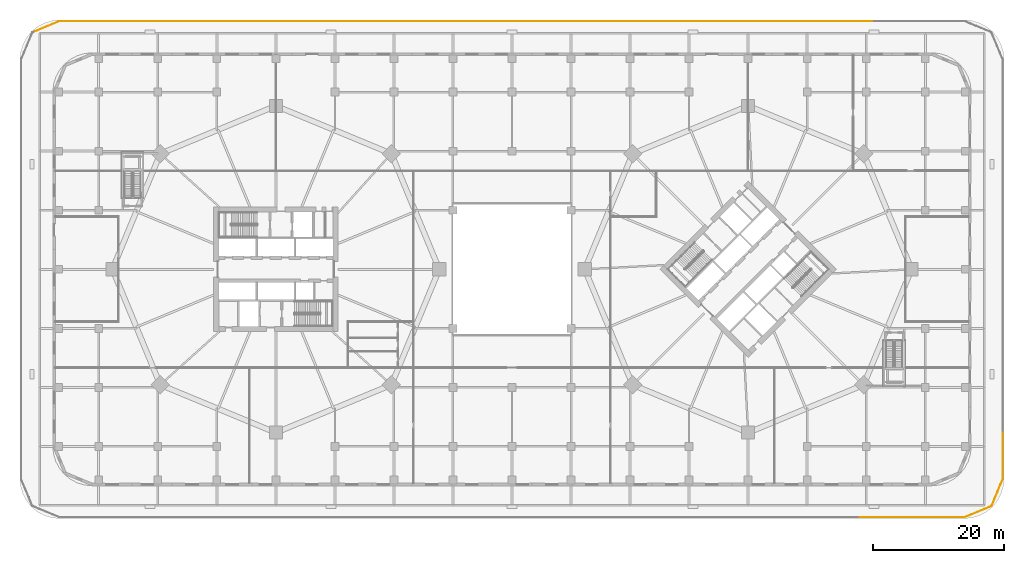
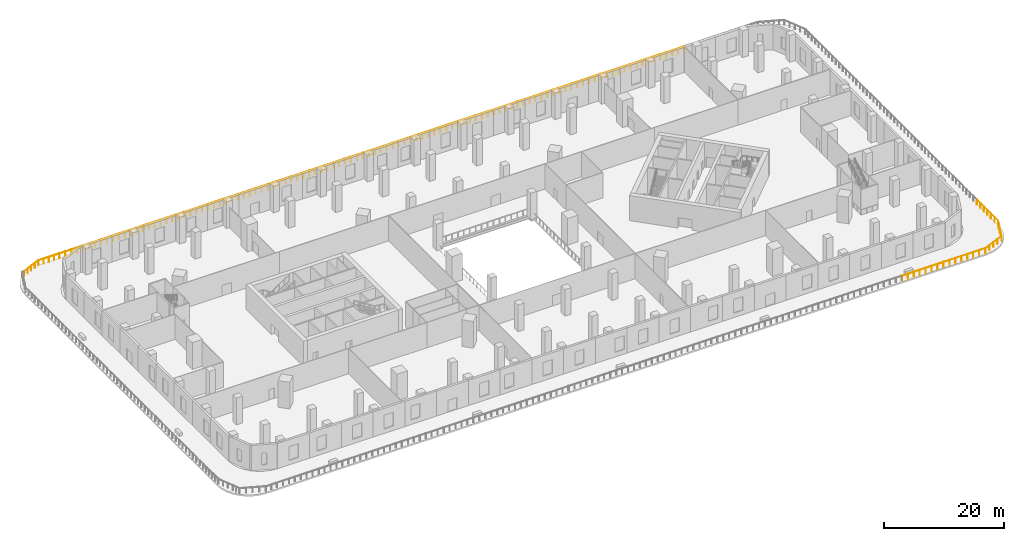
# One storey, part 17 of 20: 20 railings.
"""IFC4 building model written with IfcOpenShell, lengths in metres."""

from ifc_helpers import new_model, si_unit, direction, frame, origin, origin_2d, place, context, subcontext, project, spatial, circle, extrude, material, type_object, element, save


model = new_model("IFC4")

# Units and contexts
model_context = context("Model", 3, precision=1e-05, world=origin(), true_north=direction((0.0, 1.0)))
body_context = subcontext(model_context, "Body", "Model", "MODEL_VIEW")
ifc_project = project(units=[si_unit("LENGTHUNIT", "METRE"), si_unit("AREAUNIT", "SQUARE_METRE"), si_unit("VOLUMEUNIT", "CUBIC_METRE"), si_unit("PLANEANGLEUNIT", "RADIAN"), si_unit("MASSUNIT", "GRAM", prefix="KILO")], contexts=[model_context])

# Site, building, storey
site_placement = place(None, origin())
site = spatial("IfcSite", under=ifc_project, at=site_placement, CompositionType="ELEMENT")
building_placement = place(site_placement, origin())
building = spatial("IfcBuilding", under=site, at=building_placement, Name="Ogive Gate Towers", CompositionType="ELEMENT")
storey_placement = place(building_placement, frame((0.0, 0.0, 7.199951171875)))
storey = spatial("IfcBuildingStorey", under=building, at=storey_placement, Name="L01", CompositionType="ELEMENT", Elevation=7.199951171875)

# Railings
ifc_material = material(Name="Stainless steel", Category="steel")
railing_type = type_object("IfcRailingType", Name="Guard 1100", PredefinedType="GUARDRAIL", material=ifc_material)
railing_1_placement = place(storey_placement, frame((69.0, -37.800048828125, 0.0)))
element("IfcRailing", 1, at=railing_1_placement, inside=storey, type_object=railing_type, Name="Terrace guard", PredefinedType="GUARDRAIL", context=body_context, shape_type="SweptSolid", body=[
    extrude(circle(Radius=0.02392578125, at=origin_2d()), frame((0.0, 0.0, 1.076171875), z_axis=(0.923886797369, 0.382665892976, 0.0), x_axis=(-0.382665892976, 0.923886797369, 0.0)), (0.0, 0.0, 1.0), 4.439208984375),
    extrude(circle(Radius=0.02392578125, at=origin_2d()), frame((4.101318359375, 1.69873046875, 1.076171875), z_axis=(0.382649376062, 0.923893638359, 0.0), x_axis=(-0.923893638359, 0.382649376062, 0.0)), (0.0, 0.0, 1.0), 3.502197265625),
    extrude(circle(Radius=0.02099609375, at=origin_2d()), origin(), (0.0, 0.0, 1.0), 1.052001953125),
    extrude(circle(Radius=0.02099609375, at=origin_2d()), frame((1.025390625, 0.4248046875, 0.0)), (0.0, 0.0, 1.0), 1.052001953125),
    extrude(circle(Radius=0.02099609375, at=origin_2d()), frame((2.05078125, 0.849365234375, 0.0)), (0.0, 0.0, 1.0), 1.052001953125),
    extrude(circle(Radius=0.02099609375, at=origin_2d()), frame((3.075927734375, 1.27392578125, 0.0)), (0.0, 0.0, 1.0), 1.052001953125),
    extrude(circle(Radius=0.02099609375, at=origin_2d()), frame((4.101318359375, 1.69873046875, 0.0)), (0.0, 0.0, 1.0), 1.052001953125),
    extrude(circle(Radius=0.02099609375, at=origin_2d()), frame((4.548095703125, 2.77734375, 0.0)), (0.0, 0.0, 1.0), 1.052001953125),
    extrude(circle(Radius=0.02099609375, at=origin_2d()), frame((4.99462890625, 3.855712890625, 0.0)), (0.0, 0.0, 1.0), 1.052001953125),
    extrude(circle(Radius=0.02099609375, at=origin_2d()), frame((5.44140625, 4.934326171875, 0.0)), (0.0, 0.0, 1.0), 1.052001953125),
])
railing_2_placement = place(storey_placement, frame((74.46044921875, -32.819580078125, 0.0)))
element("IfcRailing", 2, at=railing_2_placement, inside=storey, type_object=railing_type, Name="Terrace guard", PredefinedType="GUARDRAIL", context=body_context, shape_type="SweptSolid", body=[
    extrude(circle(Radius=0.02392578125, at=origin_2d()), frame((0.0, 0.0, 1.076171875), z_axis=(0.382797369902, 0.923832329807, 0.0), x_axis=(-0.923832329807, 0.382797369902, 0.0)), (0.0, 0.0, 1.0), 0.88720703125),
    extrude(circle(Radius=0.02392578125, at=origin_2d()), frame((0.339599609375, 0.819580078125, 1.076171875), z_axis=(0.0, 1.0, 0.0), x_axis=(-1.0, 0.0, 0.0)), (0.0, 0.0, 1.0), 7.05419921875),
    extrude(circle(Radius=0.02099609375, at=origin_2d()), origin(), (0.0, 0.0, 1.0), 1.052001953125),
    extrude(circle(Radius=0.02099609375, at=origin_2d()), frame((0.339599609375, 0.819580078125, 0.0)), (0.0, 0.0, 1.0), 1.052001953125),
    extrude(circle(Radius=0.02099609375, at=origin_2d()), frame((0.339599609375, 1.995361328125, 0.0)), (0.0, 0.0, 1.0), 1.052001953125),
    extrude(circle(Radius=0.02099609375, at=origin_2d()), frame((0.339599609375, 3.1708984375, 0.0)), (0.0, 0.0, 1.0), 1.052001953125),
    extrude(circle(Radius=0.02099609375, at=origin_2d()), frame((0.339599609375, 4.3466796875, 0.0)), (0.0, 0.0, 1.0), 1.052001953125),
    extrude(circle(Radius=0.02099609375, at=origin_2d()), frame((0.339599609375, 5.5224609375, 0.0)), (0.0, 0.0, 1.0), 1.052001953125),
    extrude(circle(Radius=0.02099609375, at=origin_2d()), frame((0.339599609375, 6.697998046875, 0.0)), (0.0, 0.0, 1.0), 1.052001953125),
    extrude(circle(Radius=0.02099609375, at=origin_2d()), frame((0.339599609375, 7.873779296875, 0.0)), (0.0, 0.0, 1.0), 1.052001953125),
])
for number, where, name in (
    (3, (54.86279296875, 37.800048828125, 0.0), "Terrace guard"),
    (4, (46.87158203125, 37.800048828125, 0.0), "Terrace guard"),
    (5, (38.88037109375, 37.800048828125, 0.0), "Terrace guard"),
    (6, (30.889404296875, 37.800048828125, 0.0), "Terrace guard"),
    (7, (22.898193359375, 37.800048828125, 0.0), "Terrace guard"),
    (8, (14.906982421875, 37.800048828125, 0.0), "Terrace guard"),
):
    element("IfcRailing", number, at=place(storey_placement, frame(where)), inside=storey, type_object=railing_type, Name=name, PredefinedType="GUARDRAIL", context=body_context, shape_type="SweptSolid", body=[
        extrude(circle(Radius=0.02392578125, at=origin_2d()), frame((0.0, 0.0, 1.076171875), z_axis=(-1.0, 0.0, 0.0), x_axis=(0.0, -1.0, 0.0)), (0.0, 0.0, 1.0), 7.941162109375),
        extrude(circle(Radius=0.02099609375, at=origin_2d()), origin(), (0.0, 0.0, 1.0), 1.052001953125),
        extrude(circle(Radius=0.02099609375, at=origin_2d()), frame((-1.134521484375, 0.0, 0.0)), (0.0, 0.0, 1.0), 1.052001953125),
        extrude(circle(Radius=0.02099609375, at=origin_2d()), frame((-2.268798828125, 0.0, 0.0)), (0.0, 0.0, 1.0), 1.052001953125),
        extrude(circle(Radius=0.02099609375, at=origin_2d()), frame((-3.4033203125, 0.0, 0.0)), (0.0, 0.0, 1.0), 1.052001953125),
        extrude(circle(Radius=0.02099609375, at=origin_2d()), frame((-4.537841796875, 0.0, 0.0)), (0.0, 0.0, 1.0), 1.052001953125),
        extrude(circle(Radius=0.02099609375, at=origin_2d()), frame((-5.67236328125, 0.0, 0.0)), (0.0, 0.0, 1.0), 1.052001953125),
        extrude(circle(Radius=0.02099609375, at=origin_2d()), frame((-6.806640625, 0.0, 0.0)), (0.0, 0.0, 1.0), 1.052001953125),
        extrude(circle(Radius=0.02099609375, at=origin_2d()), frame((-7.941162109375, 0.0, 0.0)), (0.0, 0.0, 1.0), 1.052001953125),
    ])
railing_3_placement = place(storey_placement, frame((6.916015625, 37.800048828125, 0.0)))
element("IfcRailing", 9, at=railing_3_placement, inside=storey, type_object=railing_type, Name="Terrace guard", PredefinedType="GUARDRAIL", context=body_context, shape_type="SweptSolid", body=[
    extrude(circle(Radius=0.02392578125, at=origin_2d()), frame((0.0, 0.0, 1.076171875), z_axis=(-1.0, 0.0, 0.0), x_axis=(0.0, -1.0, 0.0)), (0.0, 0.0, 1.0), 7.94140625),
    extrude(circle(Radius=0.02099609375, at=origin_2d()), origin(), (0.0, 0.0, 1.0), 1.052001953125),
    extrude(circle(Radius=0.02099609375, at=origin_2d()), frame((-1.134521484375, 0.0, 0.0)), (0.0, 0.0, 1.0), 1.052001953125),
    extrude(circle(Radius=0.02099609375, at=origin_2d()), frame((-2.26904296875, 0.0, 0.0)), (0.0, 0.0, 1.0), 1.052001953125),
    extrude(circle(Radius=0.02099609375, at=origin_2d()), frame((-3.403564453125, 0.0, 0.0)), (0.0, 0.0, 1.0), 1.052001953125),
    extrude(circle(Radius=0.02099609375, at=origin_2d()), frame((-4.537841796875, 0.0, 0.0)), (0.0, 0.0, 1.0), 1.052001953125),
    extrude(circle(Radius=0.02099609375, at=origin_2d()), frame((-5.67236328125, 0.0, 0.0)), (0.0, 0.0, 1.0), 1.052001953125),
    extrude(circle(Radius=0.02099609375, at=origin_2d()), frame((-6.806884765625, 0.0, 0.0)), (0.0, 0.0, 1.0), 1.052001953125),
    extrude(circle(Radius=0.02099609375, at=origin_2d()), frame((-7.94140625, 0.0, 0.0)), (0.0, 0.0, 1.0), 1.052001953125),
])
for number, where, name in (
    (10, (-1.0751953125, 37.800048828125, 0.0), "Terrace guard"),
    (11, (-9.06640625, 37.800048828125, 0.0), "Terrace guard"),
    (12, (-17.0576171875, 37.800048828125, 0.0), "Terrace guard"),
):
    element("IfcRailing", number, at=place(storey_placement, frame(where)), inside=storey, type_object=railing_type, Name=name, PredefinedType="GUARDRAIL", context=body_context, shape_type="SweptSolid", body=[
        extrude(circle(Radius=0.02392578125, at=origin_2d()), frame((0.0, 0.0, 1.076171875), z_axis=(-1.0, 0.0, 0.0), x_axis=(0.0, -1.0, 0.0)), (0.0, 0.0, 1.0), 7.941162109375),
        extrude(circle(Radius=0.02099609375, at=origin_2d()), origin(), (0.0, 0.0, 1.0), 1.052001953125),
        extrude(circle(Radius=0.02099609375, at=origin_2d()), frame((-1.134521484375, 0.0, 0.0)), (0.0, 0.0, 1.0), 1.052001953125),
        extrude(circle(Radius=0.02099609375, at=origin_2d()), frame((-2.268798828125, 0.0, 0.0)), (0.0, 0.0, 1.0), 1.052001953125),
        extrude(circle(Radius=0.02099609375, at=origin_2d()), frame((-3.4033203125, 0.0, 0.0)), (0.0, 0.0, 1.0), 1.052001953125),
        extrude(circle(Radius=0.02099609375, at=origin_2d()), frame((-4.537841796875, 0.0, 0.0)), (0.0, 0.0, 1.0), 1.052001953125),
        extrude(circle(Radius=0.02099609375, at=origin_2d()), frame((-5.67236328125, 0.0, 0.0)), (0.0, 0.0, 1.0), 1.052001953125),
        extrude(circle(Radius=0.02099609375, at=origin_2d()), frame((-6.806640625, 0.0, 0.0)), (0.0, 0.0, 1.0), 1.052001953125),
        extrude(circle(Radius=0.02099609375, at=origin_2d()), frame((-7.941162109375, 0.0, 0.0)), (0.0, 0.0, 1.0), 1.052001953125),
    ])
railing_4_placement = place(storey_placement, frame((-25.048583984375, 37.800048828125, 0.0)))
element("IfcRailing", 13, at=railing_4_placement, inside=storey, type_object=railing_type, Name="Terrace guard", PredefinedType="GUARDRAIL", context=body_context, shape_type="SweptSolid", body=[
    extrude(circle(Radius=0.02392578125, at=origin_2d()), frame((0.0, 0.0, 1.076171875), z_axis=(-1.0, 0.0, 0.0), x_axis=(0.0, -1.0, 0.0)), (0.0, 0.0, 1.0), 7.94140625),
    extrude(circle(Radius=0.02099609375, at=origin_2d()), origin(), (0.0, 0.0, 1.0), 1.052001953125),
    extrude(circle(Radius=0.02099609375, at=origin_2d()), frame((-1.134521484375, 0.0, 0.0)), (0.0, 0.0, 1.0), 1.052001953125),
    extrude(circle(Radius=0.02099609375, at=origin_2d()), frame((-2.26904296875, 0.0, 0.0)), (0.0, 0.0, 1.0), 1.052001953125),
    extrude(circle(Radius=0.02099609375, at=origin_2d()), frame((-3.403564453125, 0.0, 0.0)), (0.0, 0.0, 1.0), 1.052001953125),
    extrude(circle(Radius=0.02099609375, at=origin_2d()), frame((-4.537841796875, 0.0, 0.0)), (0.0, 0.0, 1.0), 1.052001953125),
    extrude(circle(Radius=0.02099609375, at=origin_2d()), frame((-5.67236328125, 0.0, 0.0)), (0.0, 0.0, 1.0), 1.052001953125),
    extrude(circle(Radius=0.02099609375, at=origin_2d()), frame((-6.806884765625, 0.0, 0.0)), (0.0, 0.0, 1.0), 1.052001953125),
    extrude(circle(Radius=0.02099609375, at=origin_2d()), frame((-7.94140625, 0.0, 0.0)), (0.0, 0.0, 1.0), 1.052001953125),
])
for number, where, name in (
    (14, (-33.039794921875, 37.800048828125, 0.0), "Terrace guard"),
    (15, (-41.031005859375, 37.800048828125, 0.0), "Terrace guard"),
    (16, (-49.022216796875, 37.800048828125, 0.0), "Terrace guard"),
    (17, (-57.01318359375, 37.800048828125, 0.0), "Terrace guard"),
):
    element("IfcRailing", number, at=place(storey_placement, frame(where)), inside=storey, type_object=railing_type, Name=name, PredefinedType="GUARDRAIL", context=body_context, shape_type="SweptSolid", body=[
        extrude(circle(Radius=0.02392578125, at=origin_2d()), frame((0.0, 0.0, 1.076171875), z_axis=(-1.0, 0.0, 0.0), x_axis=(0.0, -1.0, 0.0)), (0.0, 0.0, 1.0), 7.941162109375),
        extrude(circle(Radius=0.02099609375, at=origin_2d()), origin(), (0.0, 0.0, 1.0), 1.052001953125),
        extrude(circle(Radius=0.02099609375, at=origin_2d()), frame((-1.134521484375, 0.0, 0.0)), (0.0, 0.0, 1.0), 1.052001953125),
        extrude(circle(Radius=0.02099609375, at=origin_2d()), frame((-2.268798828125, 0.0, 0.0)), (0.0, 0.0, 1.0), 1.052001953125),
        extrude(circle(Radius=0.02099609375, at=origin_2d()), frame((-3.4033203125, 0.0, 0.0)), (0.0, 0.0, 1.0), 1.052001953125),
        extrude(circle(Radius=0.02099609375, at=origin_2d()), frame((-4.537841796875, 0.0, 0.0)), (0.0, 0.0, 1.0), 1.052001953125),
        extrude(circle(Radius=0.02099609375, at=origin_2d()), frame((-5.67236328125, 0.0, 0.0)), (0.0, 0.0, 1.0), 1.052001953125),
        extrude(circle(Radius=0.02099609375, at=origin_2d()), frame((-6.806640625, 0.0, 0.0)), (0.0, 0.0, 1.0), 1.052001953125),
        extrude(circle(Radius=0.02099609375, at=origin_2d()), frame((-7.941162109375, 0.0, 0.0)), (0.0, 0.0, 1.0), 1.052001953125),
    ])
railing_5_placement = place(storey_placement, frame((-65.00439453125, 37.800048828125, 0.0)))
element("IfcRailing", 18, at=railing_5_placement, inside=storey, type_object=railing_type, Name="Terrace guard", PredefinedType="GUARDRAIL", context=body_context, shape_type="SweptSolid", body=[
    extrude(circle(Radius=0.02392578125, at=origin_2d()), frame((0.0, 0.0, 1.076171875), z_axis=(-1.0, 0.0, 0.0), x_axis=(0.0, -1.0, 0.0)), (0.0, 0.0, 1.0), 3.99560546875),
    extrude(circle(Radius=0.02392578125, at=origin_2d()), frame((-3.99560546875, 0.0, 1.076171875), z_axis=(-0.923871278293, -0.382703359202, 0.0), x_axis=(0.382703359202, -0.923871278293, 0.0)), (0.0, 0.0, 1.0), 3.945556640625),
    extrude(circle(Radius=0.02099609375, at=origin_2d()), origin(), (0.0, 0.0, 1.0), 1.052001953125),
    extrude(circle(Radius=0.02099609375, at=origin_2d()), frame((-0.9990234375, 0.0, 0.0)), (0.0, 0.0, 1.0), 1.052001953125),
    extrude(circle(Radius=0.02099609375, at=origin_2d()), frame((-1.997802734375, 0.0, 0.0)), (0.0, 0.0, 1.0), 1.052001953125),
    extrude(circle(Radius=0.02099609375, at=origin_2d()), frame((-2.99658203125, 0.0, 0.0)), (0.0, 0.0, 1.0), 1.052001953125),
    extrude(circle(Radius=0.02099609375, at=origin_2d()), frame((-3.99560546875, 0.0, 0.0)), (0.0, 0.0, 1.0), 1.052001953125),
    extrude(circle(Radius=0.02099609375, at=origin_2d()), frame((-4.906982421875, -0.37744140625, 0.0)), (0.0, 0.0, 1.0), 1.052001953125),
    extrude(circle(Radius=0.02099609375, at=origin_2d()), frame((-5.818359375, -0.7548828125, 0.0)), (0.0, 0.0, 1.0), 1.052001953125),
    extrude(circle(Radius=0.02099609375, at=origin_2d()), frame((-6.7294921875, -1.132568359375, 0.0)), (0.0, 0.0, 1.0), 1.052001953125),
    extrude(circle(Radius=0.02099609375, at=origin_2d()), frame((-7.640869140625, -1.510009765625, 0.0)), (0.0, 0.0, 1.0), 1.052001953125),
])
railing_6_placement = place(storey_placement, frame((53.017578125, -37.800048828125, 0.0)))
element("IfcRailing", 19, at=railing_6_placement, inside=storey, type_object=railing_type, Name="Terrace guard", PredefinedType="GUARDRAIL", context=body_context, shape_type="SweptSolid", body=[
    extrude(circle(Radius=0.02392578125, at=origin_2d()), frame((0.0, 0.0, 1.076171875), z_axis=(1.0, 0.0, 0.0), x_axis=(0.0, 1.0, 0.0)), (0.0, 0.0, 1.0), 7.94140625),
    extrude(circle(Radius=0.02099609375, at=origin_2d()), origin(), (0.0, 0.0, 1.0), 1.052001953125),
    extrude(circle(Radius=0.02099609375, at=origin_2d()), frame((1.134521484375, 0.0, 0.0)), (0.0, 0.0, 1.0), 1.052001953125),
    extrude(circle(Radius=0.02099609375, at=origin_2d()), frame((2.26904296875, 0.0, 0.0)), (0.0, 0.0, 1.0), 1.052001953125),
    extrude(circle(Radius=0.02099609375, at=origin_2d()), frame((3.403564453125, 0.0, 0.0)), (0.0, 0.0, 1.0), 1.052001953125),
    extrude(circle(Radius=0.02099609375, at=origin_2d()), frame((4.537841796875, 0.0, 0.0)), (0.0, 0.0, 1.0), 1.052001953125),
    extrude(circle(Radius=0.02099609375, at=origin_2d()), frame((5.67236328125, 0.0, 0.0)), (0.0, 0.0, 1.0), 1.052001953125),
    extrude(circle(Radius=0.02099609375, at=origin_2d()), frame((6.806884765625, 0.0, 0.0)), (0.0, 0.0, 1.0), 1.052001953125),
    extrude(circle(Radius=0.02099609375, at=origin_2d()), frame((7.94140625, 0.0, 0.0)), (0.0, 0.0, 1.0), 1.052001953125),
])
railing_7_placement = place(storey_placement, frame((61.0087890625, -37.800048828125, 0.0)))
element("IfcRailing", 20, at=railing_7_placement, inside=storey, type_object=railing_type, Name="Terrace guard", PredefinedType="GUARDRAIL", context=body_context, shape_type="SweptSolid", body=[
    extrude(circle(Radius=0.02392578125, at=origin_2d()), frame((0.0, 0.0, 1.076171875), z_axis=(1.0, 0.0, 0.0), x_axis=(0.0, 1.0, 0.0)), (0.0, 0.0, 1.0), 7.941162109375),
    extrude(circle(Radius=0.02099609375, at=origin_2d()), origin(), (0.0, 0.0, 1.0), 1.052001953125),
    extrude(circle(Radius=0.02099609375, at=origin_2d()), frame((1.134521484375, 0.0, 0.0)), (0.0, 0.0, 1.0), 1.052001953125),
    extrude(circle(Radius=0.02099609375, at=origin_2d()), frame((2.268798828125, 0.0, 0.0)), (0.0, 0.0, 1.0), 1.052001953125),
    extrude(circle(Radius=0.02099609375, at=origin_2d()), frame((3.4033203125, 0.0, 0.0)), (0.0, 0.0, 1.0), 1.052001953125),
    extrude(circle(Radius=0.02099609375, at=origin_2d()), frame((4.537841796875, 0.0, 0.0)), (0.0, 0.0, 1.0), 1.052001953125),
    extrude(circle(Radius=0.02099609375, at=origin_2d()), frame((5.67236328125, 0.0, 0.0)), (0.0, 0.0, 1.0), 1.052001953125),
    extrude(circle(Radius=0.02099609375, at=origin_2d()), frame((6.806640625, 0.0, 0.0)), (0.0, 0.0, 1.0), 1.052001953125),
    extrude(circle(Radius=0.02099609375, at=origin_2d()), frame((7.941162109375, 0.0, 0.0)), (0.0, 0.0, 1.0), 1.052001953125),
])

save(model, "model.ifc")
